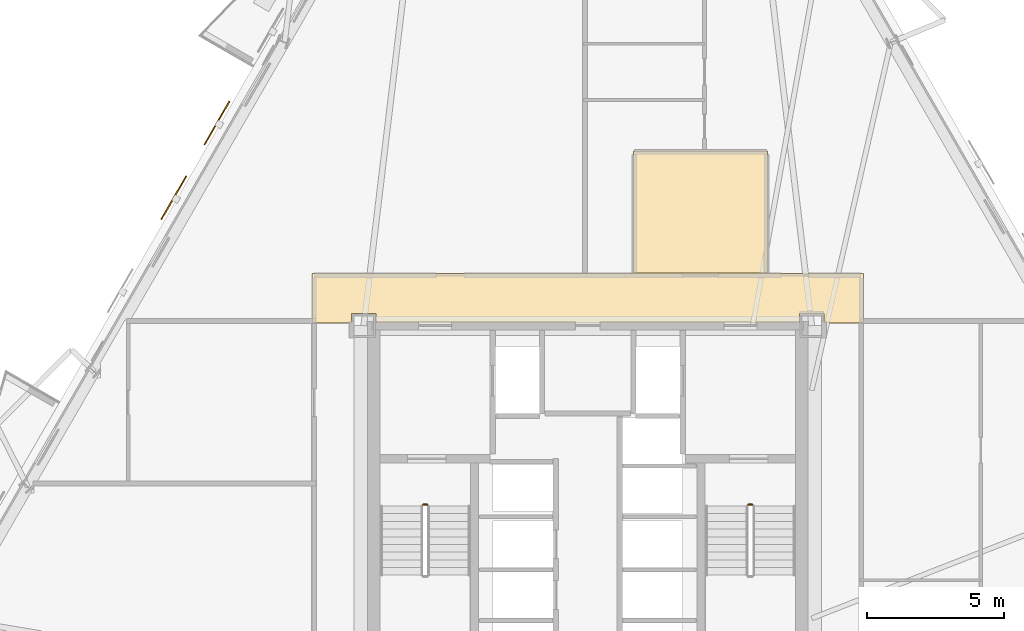
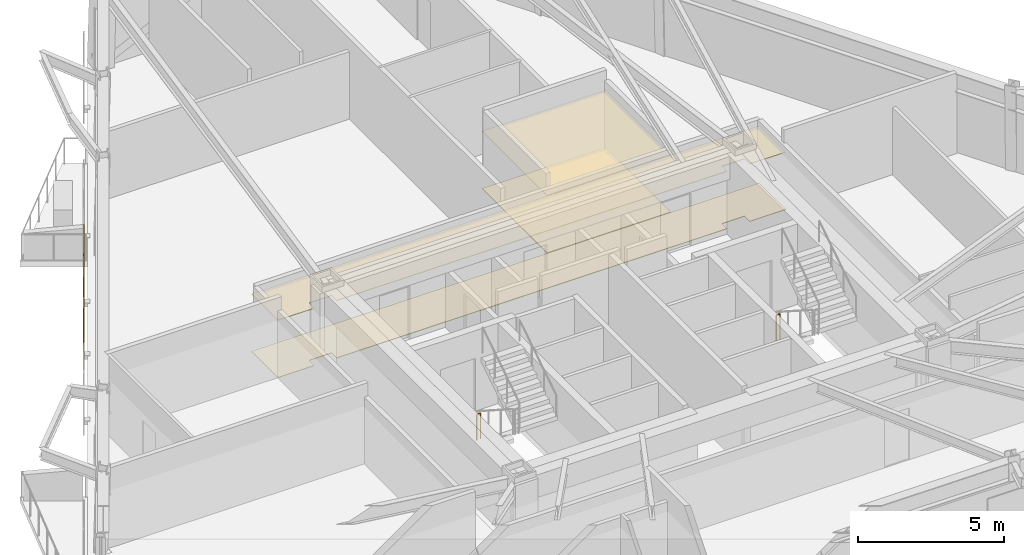
# One storey, part 9 of 10: 4 coverings, 2 railings, 2 shading devices.
"""IFC4 building model written with IfcOpenShell, lengths in metres."""

from ifc_helpers import new_model, si_unit, direction, frame, origin, origin_2d, place, context, subcontext, project, spatial, polyline, rectangle, circle, outline, extrude, material, layer, layer_set, type_object, element, save


model = new_model("IFC4")

# Units and contexts
model_context = context("Model", 3, precision=1e-05, world=origin(), true_north=direction((0.0, 1.0)))
body_context = subcontext(model_context, "Body", "Model", "MODEL_VIEW")
ifc_project = project(units=[si_unit("LENGTHUNIT", "METRE"), si_unit("AREAUNIT", "SQUARE_METRE"), si_unit("VOLUMEUNIT", "CUBIC_METRE"), si_unit("PLANEANGLEUNIT", "RADIAN"), si_unit("MASSUNIT", "GRAM", prefix="KILO")], contexts=[model_context])

# Site, building, storey
site_placement = place(None, origin())
site = spatial("IfcSite", under=ifc_project, at=site_placement, CompositionType="ELEMENT")
building_placement = place(site_placement, origin())
building = spatial("IfcBuilding", under=site, at=building_placement, Name="Oramaril Tower", CompositionType="ELEMENT")
storey_placement = place(building_placement, frame((0.0, 0.0, 100.5)))
storey = spatial("IfcBuildingStorey", under=building, at=storey_placement, Name="L26", CompositionType="ELEMENT", Elevation=100.5)

# Coverings
ifc_material_1 = material(Name="Mineral Fibre Acoustic Ceiling")
ifc_layer_1 = layer(ifc_material_1, 0.02001953125)
ifc_layer_set_1 = layer_set([ifc_layer_1], Name="CVT-CEIL")
covering_type_1 = type_object("IfcCoveringType", Name="CVT-CEIL", PredefinedType="CEILING", material=ifc_layer_set_1)
covering_1_placement = place(storey_placement, frame((0.0, 0.0, 2.39990234375)))
element("IfcCovering", 1, at=covering_1_placement, inside=storey, type_object=covering_type_1, Name="L26 Acoustic Suspended Ceiling 2", PredefinedType="CEILING", context=body_context, shape_type="SweptSolid", body=[
    extrude(outline(polyline([(47.530029296875, 24.239990234375), (46.094970703125, 24.239990234375), (46.094970703125, 24.594970703125), (45.205078125, 24.594970703125), (45.205078125, 24.25), (29.794921875, 24.25), (29.794921875, 24.594970703125), (28.905029296875, 24.594970703125), (28.905029296875, 24.239990234375), (27.469970703125, 24.239990234375), (27.469970703125, 26.050048828125), (47.530029296875, 26.050048828125), (47.530029296875, 24.239990234375)])), origin(), (0.0, 0.0, 1.0), 0.02001953125),
])
covering_2_placement = place(storey_placement, frame((0.0, 0.0, 2.39990234375)))
element("IfcCovering", 2, at=covering_2_placement, inside=storey, type_object=covering_type_1, Name="L26 Acoustic Suspended Ceiling 5", PredefinedType="CEILING", context=body_context, shape_type="SweptSolid", body=[
    extrude(outline(polyline([(44.0419921875, 30.511962890625), (44.0419921875, 26.070068359375), (39.157958984375, 26.070068359375), (39.157958984375, 30.511962890625), (44.0419921875, 30.511962890625)])), origin(), (0.0, 0.0, 1.0), 0.02001953125),
])
ifc_material_2 = material(Name="Honed Quartzite Stone Flooring", Category="masonry")
ifc_layer_2 = layer(ifc_material_2, 0.02490234375)
ifc_layer_set_2 = layer_set([ifc_layer_2], Name="CVT-FLR")
covering_type_2 = type_object("IfcCoveringType", Name="CVT-FLR", PredefinedType="FLOORING", material=ifc_layer_set_2)
covering_3_placement = place(storey_placement, origin())
element("IfcCovering", 3, at=covering_3_placement, inside=storey, type_object=covering_type_2, Name="L26 Honed Stone Floor Finish 2", PredefinedType="FLOORING", context=body_context, shape_type="SweptSolid", body=[
    extrude(outline(polyline([(47.530029296875, 24.239990234375), (46.094970703125, 24.239990234375), (46.094970703125, 24.594970703125), (45.205078125, 24.594970703125), (45.205078125, 24.25), (29.794921875, 24.25), (29.794921875, 24.594970703125), (28.905029296875, 24.594970703125), (28.905029296875, 24.239990234375), (27.469970703125, 24.239990234375), (27.469970703125, 26.050048828125), (47.530029296875, 26.050048828125), (47.530029296875, 24.239990234375)])), origin(), (0.0, 0.0, 1.0), 0.02490234375),
])
covering_4_placement = place(storey_placement, origin())
element("IfcCovering", 4, at=covering_4_placement, inside=storey, type_object=covering_type_2, Name="L26 Honed Stone Floor Finish 5", PredefinedType="FLOORING", context=body_context, shape_type="SweptSolid", body=[
    extrude(outline(polyline([(44.0419921875, 30.511962890625), (44.0419921875, 26.070068359375), (39.157958984375, 26.070068359375), (39.157958984375, 30.511962890625), (44.0419921875, 30.511962890625)])), origin(), (0.0, 0.0, 1.0), 0.02490234375),
])

# Railings
ifc_material_3 = material(Name="Stainless Steel 316L", Category="steel")
railing_type = type_object("IfcRailingType", Name="RLT-GRD", PredefinedType="GUARDRAIL", material=ifc_material_3)
for number, where, name in (
    (5, (31.510009765625, 17.639892578125, 0.0), "L26 ST-1 stair guard 4"),
    (6, (43.340087890625, 17.639892578125, 0.0), "L26 ST-2 stair guard 4"),
):
    element("IfcRailing", number, at=place(storey_placement, frame(where)), inside=storey, type_object=railing_type, Name=name, PredefinedType="GUARDRAIL", context=body_context, shape_type="SweptSolid", body=[
        extrude(circle(Radius=0.02392578125, at=origin_2d()), frame((0.0, 0.0, 1.076171875), z_axis=(1.0, 0.0, 0.0), x_axis=(0.0, 1.0, 0.0)), (0.0, 0.0, 1.0), 0.14990234375),
        extrude(circle(Radius=0.02099609375, at=origin_2d()), origin(), (0.0, 0.0, 1.0), 1.052001953125),
        extrude(circle(Radius=0.02099609375, at=origin_2d()), frame((0.14990234375, 0.0, 0.0)), (0.0, 0.0, 1.0), 1.052001953125),
    ])

# Shading devices
for number, where, z_axis, x_axis, name in (
    (7, (24.009765625, 31.521484375, -0.02001953125), (0.0, 0.0, 1.0), (-0.5, -0.866025403784, 0.0), "L26 Perforated Ceramic Solar Screen"),
    (8, (22.439697265625, 28.802001953125, -0.02001953125), (0.0, 0.0, 1.0), (-0.5, -0.866025403784, 0.0), "L26 Perforated Ceramic Solar Screen"),
):
    element("IfcShadingDevice", number, at=place(storey_placement, frame(where, z_axis=z_axis, x_axis=x_axis)), inside=storey, Name=name, ObjectType="SCREEN", PredefinedType="USERDEFINED", context=body_context, shape_type="SweptSolid", body=[
        extrude(rectangle(XDim=1.8330078125, YDim=0.050048828125, at=origin_2d()), origin(), (0.0, 0.0, 1.0), 2.577880859375),
    ])

save(model, "model.ifc")
